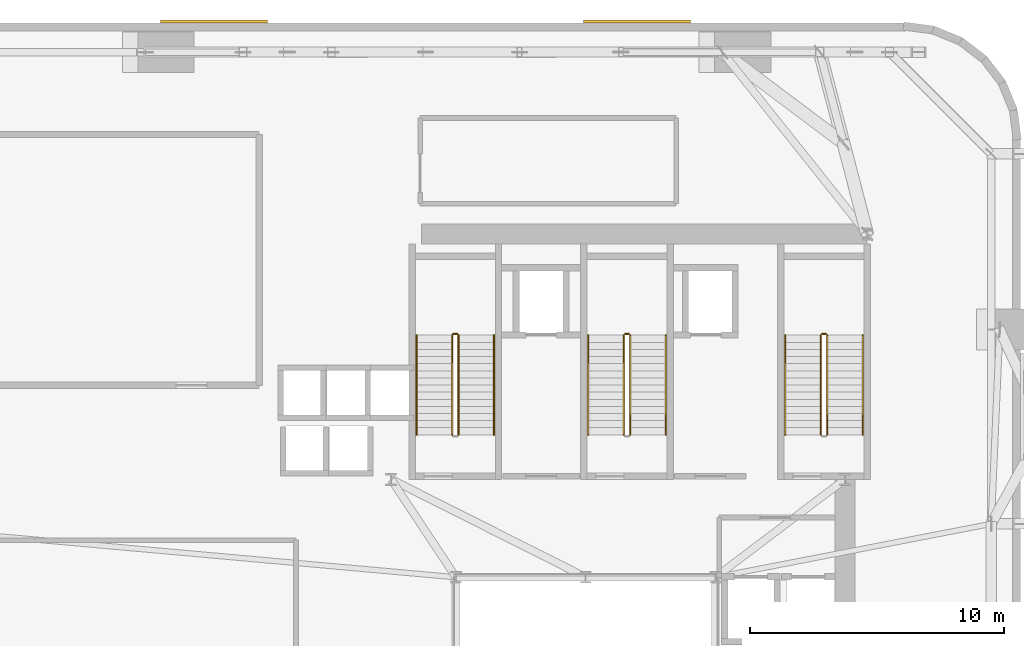
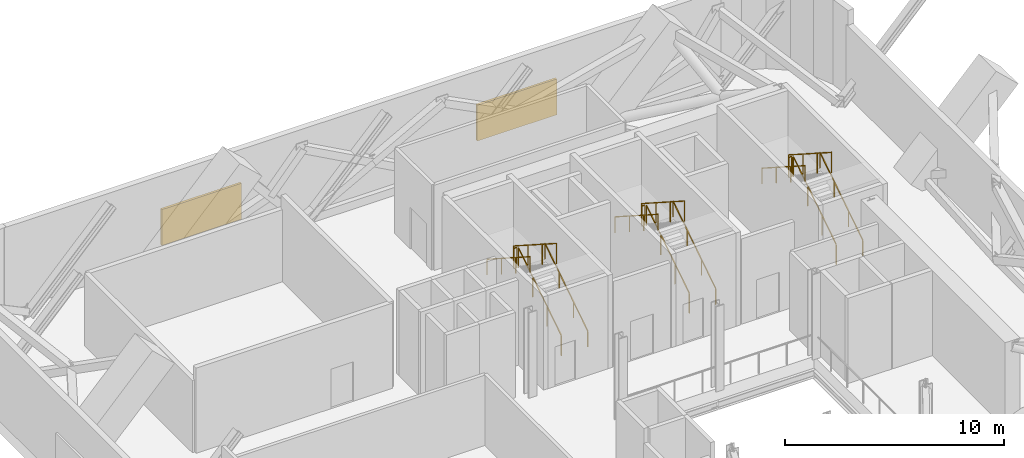
# One storey, part 12 of 12: 15 railings, 2 shading devices.
"""IFC4 building model written with IfcOpenShell, lengths in metres."""

from ifc_helpers import new_model, si_unit, direction, frame, origin, origin_2d, place, context, subcontext, project, spatial, rectangle, extrude, source, transform, mapped, material, layer, layer_set, type_object, element, save


model = new_model("IFC4")

# Units and contexts
model_context = context("Model", 3, precision=1e-05, world=origin(), true_north=direction((0.0, 1.0)))
body_context = subcontext(model_context, "Body", "Model", "MODEL_VIEW")
ifc_project = project(units=[si_unit("LENGTHUNIT", "METRE"), si_unit("AREAUNIT", "SQUARE_METRE"), si_unit("VOLUMEUNIT", "CUBIC_METRE"), si_unit("PLANEANGLEUNIT", "RADIAN"), si_unit("MASSUNIT", "GRAM", prefix="KILO")], contexts=[model_context])

# Site, building, storey
site_placement = place(None, origin())
site = spatial("IfcSite", under=ifc_project, at=site_placement, CompositionType="ELEMENT")
building_placement = place(site_placement, origin())
building = spatial("IfcBuilding", under=site, at=building_placement, Name="Vardaveli Station Tower", CompositionType="ELEMENT")
storey_placement = place(building_placement, frame((0.0, 0.0, 166.800048828125)))
storey = spatial("IfcBuildingStorey", under=building, at=storey_placement, Name="L43", CompositionType="ELEMENT", Elevation=166.800048828125)

# Shading devices
ifc_material_1 = material(Name="Anodised champagne aluminium acoustic louvre", Category="aluminium")
ifc_layer = layer(ifc_material_1, 0.1201171875, Name="Anodised champagne aluminium acoustic louvre")
ifc_layer_set = layer_set([ifc_layer], Name="Anodised champagne aluminium acoustic louvre")
shading_device_type = type_object("IfcShadingDeviceType", Name="SHD-LOUVRE-JAL", PredefinedType="JALOUSIE", material=ifc_layer_set)
shared_shape_1 = source(origin(), body_context, "Body", "SweptSolid", [
    extrude(rectangle(XDim=4.199951171875, YDim=0.1201171875, at=origin_2d()), origin(), (0.0, 0.0, 1.0), 2.0),
])
for number, where, z_axis, x_axis, name in (
    (1, (38.31591796875, 48.654052734375, 0.599853515625), (0.0, 0.0, 1.0), (1.0, 0.0, 0.0), "SHD-LV-L43-N1"),
    (2, (21.68408203125, 48.654052734375, 0.599853515625), (0.0, 0.0, 1.0), (1.0, 0.0, 0.0), "SHD-LV-L43-N2"),
):
    element("IfcShadingDevice", number, at=place(storey_placement, frame(where, z_axis=z_axis, x_axis=x_axis)), inside=storey, type_object=shading_device_type, Name=name, PredefinedType="JALOUSIE", context=body_context, shape_type="MappedRepresentation", body=[
        mapped(shared_shape_1, transform((0.0, 0.0, 0.0), scale=1.0)),
    ])

# Railings
ifc_material_2 = material(Name="Brushed AISI 316 stainless steel", Category="steel")
railing_type_1 = type_object("IfcRailingType", Name="RL-GUARD-1150", PredefinedType="GUARDRAIL", material=ifc_material_2)
shared_shape_2 = source(origin(), body_context, "Body", "SweptSolid", [
    extrude(rectangle(XDim=0.048095703125, YDim=0.048095703125, at=origin_2d()), frame((0.0, 0.0, 1.1259765625), z_axis=(0.0, 0.841186985886, 0.540744352514), x_axis=(-1.0, 0.0, 0.0)), (0.0, 0.0, 1.0), 4.660400390625),
    extrude(rectangle(XDim=0.0419921875, YDim=0.0419921875, at=origin_2d()), origin(), (0.0, 0.0, 1.0), 1.101806640625),
    extrude(rectangle(XDim=0.0419921875, YDim=0.0419921875, at=origin_2d()), frame((0.0, 1.306640625, 0.840087890625)), (0.0, 0.0, 1.0), 1.101806640625),
    extrude(rectangle(XDim=0.0419921875, YDim=0.0419921875, at=origin_2d()), frame((0.0, 2.613525390625, 1.679931640625)), (0.0, 0.0, 1.0), 1.101806640625),
    extrude(rectangle(XDim=0.0419921875, YDim=0.0419921875, at=origin_2d()), frame((0.0, 3.920166015625, 2.52001953125)), (0.0, 0.0, 1.0), 1.101806640625),
])
for number, where, name in (
    (3, (31.300048828125, 32.39990234375, 0.179931640625), "L43 ST-1 stair guard 1"),
    (4, (38.050048828125, 32.39990234375, 0.179931640625), "L43 ST-2 stair guard 1"),
    (5, (45.800048828125, 32.39990234375, 0.179931640625), "L43 ST-3 stair guard 1"),
):
    element("IfcRailing", number, at=place(storey_placement, frame(where)), inside=storey, type_object=railing_type_1, Name=name, PredefinedType="GUARDRAIL", context=body_context, shape_type="MappedRepresentation", body=[
        mapped(shared_shape_2, transform((0.0, 0.0, 0.0), scale=1.0)),
    ])
shared_shape_3 = source(origin(), body_context, "Body", "SweptSolid", [
    extrude(rectangle(XDim=0.048095703125, YDim=0.048095703125, at=origin_2d()), frame((0.0, 0.0, 1.1259765625), z_axis=(-1.0, 0.0, 0.0), x_axis=(0.0, -1.0, 0.0)), (0.0, 0.0, 1.0), 0.14990234375),
    extrude(rectangle(XDim=0.0419921875, YDim=0.0419921875, at=origin_2d()), origin(), (0.0, 0.0, 1.0), 1.101806640625),
    extrude(rectangle(XDim=0.0419921875, YDim=0.0419921875, at=origin_2d()), frame((-0.14990234375, 0.0, 0.0)), (0.0, 0.0, 1.0), 1.101806640625),
])
for number, where, name in (
    (6, (31.25, 36.3701171875, 2.699951171875), "L43 ST-1 stair guard 2"),
    (7, (38.0, 36.3701171875, 2.699951171875), "L43 ST-2 stair guard 2"),
    (8, (45.75, 36.3701171875, 2.699951171875), "L43 ST-3 stair guard 2"),
):
    element("IfcRailing", number, at=place(storey_placement, frame(where)), inside=storey, type_object=railing_type_1, Name=name, PredefinedType="GUARDRAIL", context=body_context, shape_type="MappedRepresentation", body=[
        mapped(shared_shape_3, transform((0.0, 0.0, 0.0), scale=1.0)),
    ])
shared_shape_4 = source(origin(), body_context, "Body", "SweptSolid", [
    extrude(rectangle(XDim=0.048095703125, YDim=0.048095703125, at=origin_2d()), frame((0.0, 0.0, 1.1259765625), z_axis=(0.0, -0.841186985886, 0.540744352514), x_axis=(1.0, 0.0, 0.0)), (0.0, 0.0, 1.0), 4.660400390625),
    extrude(rectangle(XDim=0.0419921875, YDim=0.0419921875, at=origin_2d()), origin(), (0.0, 0.0, 1.0), 1.101806640625),
    extrude(rectangle(XDim=0.0419921875, YDim=0.0419921875, at=origin_2d()), frame((0.0, -1.306640625, 0.840087890625)), (0.0, 0.0, 1.0), 1.101806640625),
    extrude(rectangle(XDim=0.0419921875, YDim=0.0419921875, at=origin_2d()), frame((0.0, -2.613525390625, 1.679931640625)), (0.0, 0.0, 1.0), 1.101806640625),
    extrude(rectangle(XDim=0.0419921875, YDim=0.0419921875, at=origin_2d()), frame((0.0, -3.920166015625, 2.52001953125)), (0.0, 0.0, 1.0), 1.101806640625),
])
for number, where, name in (
    (9, (31.050048828125, 36.320068359375, 2.8798828125), "L43 ST-1 stair guard 3"),
    (10, (37.800048828125, 36.320068359375, 2.8798828125), "L43 ST-2 stair guard 3"),
    (11, (45.550048828125, 36.320068359375, 2.8798828125), "L43 ST-3 stair guard 3"),
):
    element("IfcRailing", number, at=place(storey_placement, frame(where)), inside=storey, type_object=railing_type_1, Name=name, PredefinedType="GUARDRAIL", context=body_context, shape_type="MappedRepresentation", body=[
        mapped(shared_shape_4, transform((0.0, 0.0, 0.0), scale=1.0)),
    ])
railing_type_2 = type_object("IfcRailingType", Name="RL-HAND-900", PredefinedType="HANDRAIL", material=ifc_material_2)
shared_shape_5 = source(origin(), body_context, "Body", "SweptSolid", [
    extrude(rectangle(XDim=0.048095703125, YDim=0.048095703125, at=origin_2d()), frame((0.0, 0.0, 0.8759765625), z_axis=(0.0, 0.841186985886, 0.540744352514), x_axis=(-1.0, 0.0, 0.0)), (0.0, 0.0, 1.0), 4.660400390625),
    extrude(rectangle(XDim=0.0419921875, YDim=0.0419921875, at=origin_2d()), origin(), (0.0, 0.0, 1.0), 0.851806640625),
    extrude(rectangle(XDim=0.0419921875, YDim=0.0419921875, at=origin_2d()), frame((0.0, 1.306640625, 0.840087890625)), (0.0, 0.0, 1.0), 0.851806640625),
    extrude(rectangle(XDim=0.0419921875, YDim=0.0419921875, at=origin_2d()), frame((0.0, 2.613525390625, 1.679931640625)), (0.0, 0.0, 1.0), 0.851806640625),
    extrude(rectangle(XDim=0.0419921875, YDim=0.0419921875, at=origin_2d()), frame((0.0, 3.920166015625, 2.52001953125)), (0.0, 0.0, 1.0), 0.851806640625),
])
for number, where, name in (
    (12, (32.699951171875, 32.39990234375, 0.179931640625), "L43 ST-1 stair handrail 1"),
    (13, (39.449951171875, 32.39990234375, 0.179931640625), "L43 ST-2 stair handrail 1"),
    (14, (47.199951171875, 32.39990234375, 0.179931640625), "L43 ST-3 stair handrail 1"),
):
    element("IfcRailing", number, at=place(storey_placement, frame(where)), inside=storey, type_object=railing_type_2, Name=name, PredefinedType="HANDRAIL", context=body_context, shape_type="MappedRepresentation", body=[
        mapped(shared_shape_5, transform((0.0, 0.0, 0.0), scale=1.0)),
    ])
shared_shape_6 = source(origin(), body_context, "Body", "SweptSolid", [
    extrude(rectangle(XDim=0.048095703125, YDim=0.048095703125, at=origin_2d()), frame((0.0, 0.0, 0.8759765625), z_axis=(0.0, -0.841186985886, 0.540744352514), x_axis=(1.0, 0.0, 0.0)), (0.0, 0.0, 1.0), 4.660400390625),
    extrude(rectangle(XDim=0.0419921875, YDim=0.0419921875, at=origin_2d()), origin(), (0.0, 0.0, 1.0), 0.851806640625),
    extrude(rectangle(XDim=0.0419921875, YDim=0.0419921875, at=origin_2d()), frame((0.0, -1.306640625, 0.840087890625)), (0.0, 0.0, 1.0), 0.851806640625),
    extrude(rectangle(XDim=0.0419921875, YDim=0.0419921875, at=origin_2d()), frame((0.0, -2.613525390625, 1.679931640625)), (0.0, 0.0, 1.0), 0.851806640625),
    extrude(rectangle(XDim=0.0419921875, YDim=0.0419921875, at=origin_2d()), frame((0.0, -3.920166015625, 2.52001953125)), (0.0, 0.0, 1.0), 0.851806640625),
])
for number, where, name in (
    (15, (29.64990234375, 36.320068359375, 2.8798828125), "L43 ST-1 stair handrail 2"),
    (16, (36.39990234375, 36.320068359375, 2.8798828125), "L43 ST-2 stair handrail 2"),
    (17, (44.14990234375, 36.320068359375, 2.8798828125), "L43 ST-3 stair handrail 2"),
):
    element("IfcRailing", number, at=place(storey_placement, frame(where)), inside=storey, type_object=railing_type_2, Name=name, PredefinedType="HANDRAIL", context=body_context, shape_type="MappedRepresentation", body=[
        mapped(shared_shape_6, transform((0.0, 0.0, 0.0), scale=1.0)),
    ])

save(model, "model.ifc")
